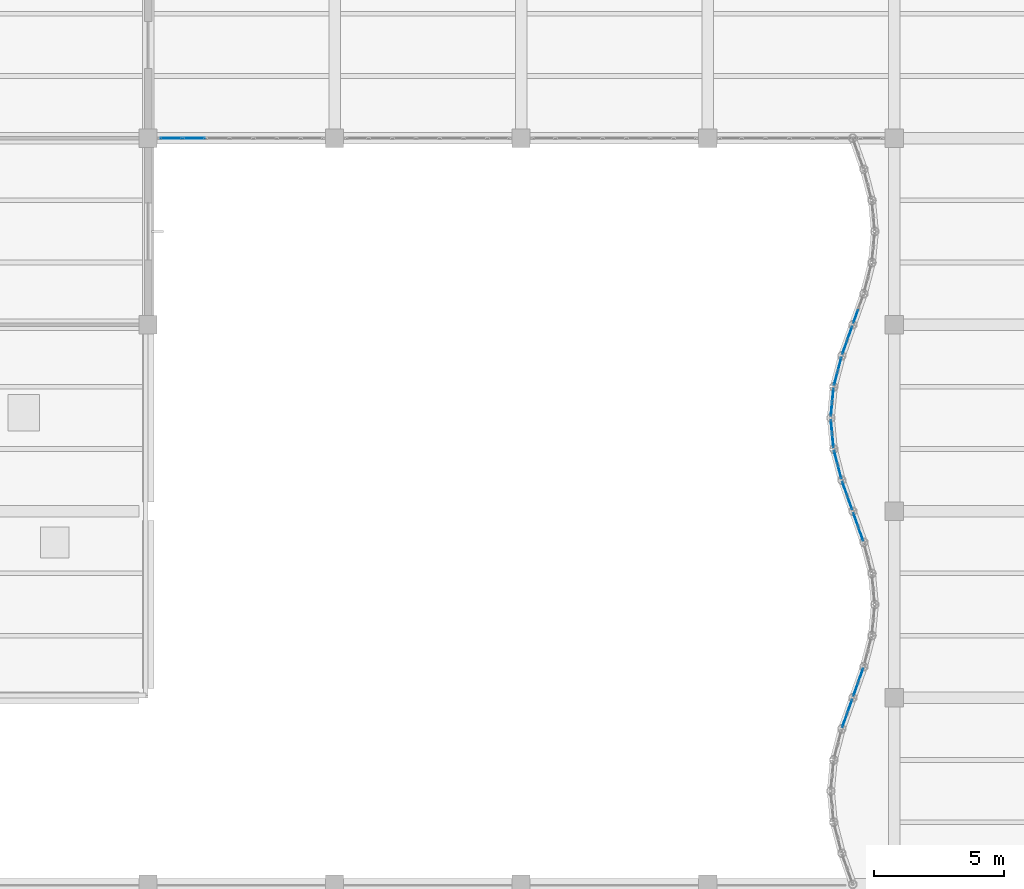
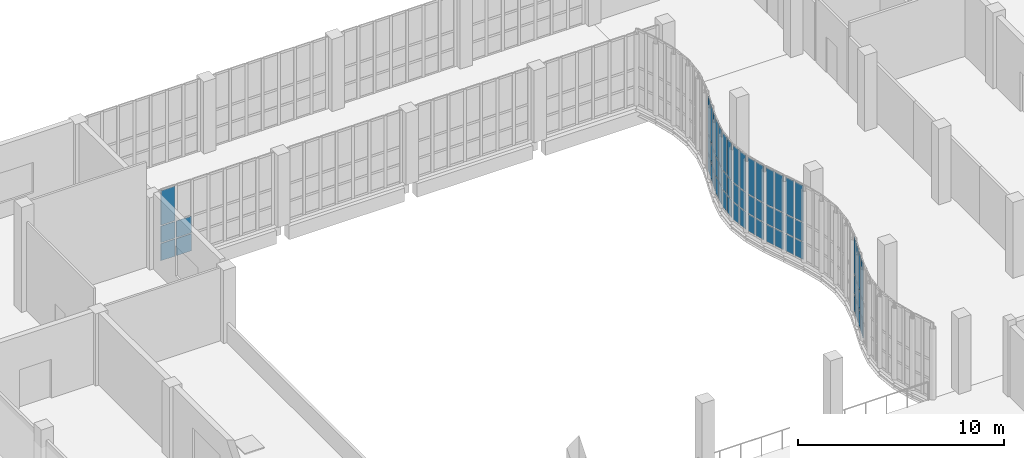
# One storey, part 73 of 108: 62 plates, 11 elements without a shape of their own.
"""IFC4 building model written with IfcOpenShell, lengths in metres."""

from ifc_helpers import new_model, si_unit, direction, frame, origin, origin_2d, place, context, subcontext, project, spatial, rectangle, extrude, material, layer, layer_set, type_object, element, aggregate, save


model = new_model("IFC4")

# Units and contexts
model_context = context("Model", 3, precision=1e-05, world=origin(), true_north=direction((0.0, 1.0)))
body_context = subcontext(model_context, "Body", "Model", "MODEL_VIEW")
ifc_project = project(units=[si_unit("LENGTHUNIT", "METRE"), si_unit("AREAUNIT", "SQUARE_METRE"), si_unit("VOLUMEUNIT", "CUBIC_METRE"), si_unit("PLANEANGLEUNIT", "RADIAN"), si_unit("MASSUNIT", "GRAM", prefix="KILO"), si_unit("THERMODYNAMICTEMPERATUREUNIT", "KELVIN"), si_unit("POWERUNIT", "WATT")], contexts=[model_context])

# Site, building, storey
site_placement = place(None, origin())
site = spatial("IfcSite", under=ifc_project, at=site_placement, CompositionType="ELEMENT")
building_placement = place(site_placement, origin())
building = spatial("IfcBuilding", under=site, at=building_placement, Name="Kaldorven Railside Theatre", CompositionType="ELEMENT")
storey_placement = place(building_placement, frame((0.0, 0.0, 5.39990234375)))
storey = spatial("IfcBuildingStorey", under=building, at=storey_placement, Name="L01", CompositionType="ELEMENT", Elevation=5.39990234375)

# Curtain wall, plates
ifc_material = material(Name="Low-E laminated solar-control glass", Category="glass")
ifc_layer_1 = layer(ifc_material, 0.159912109375, Name="Low-E laminated solar-control glass")
ifc_layer_set_1 = layer_set([ifc_layer_1], Name="Low-E laminated solar-control glass")
curtain_wall_type_1 = type_object("IfcCurtainWallType", Name="CWT-01", PredefinedType="USERDEFINED", material=ifc_layer_set_1)
curtain_wall_1_placement = place(storey_placement, origin())
curtain_wall_1 = element("IfcCurtainWall", 1, at=curtain_wall_1_placement, inside=storey, type_object=curtain_wall_type_1, Name="Sinusoidal Fluted Curtain Wall CW-L01-W06", ObjectType="FLUTED GLAZING", PredefinedType="USERDEFINED")
ifc_layer_2 = layer(ifc_material, 0.028076171875, Name="Low-E laminated solar-control glass")
ifc_layer_set_2 = layer_set([ifc_layer_2], Name="Low-E laminated solar-control glass")
plate_type = type_object("IfcPlateType", Name="CWP-GLZ28", PredefinedType="CURTAIN_PANEL", material=ifc_layer_set_2)
plate_1_placement = place(storey_placement, frame((70.887939453125, 47.118896484375, 0.06005859375), z_axis=(0.0, 0.0, 1.0), x_axis=(0.33384714225, 0.942627225159, 0.0)))
plate_1 = element("IfcPlate", 2, at=plate_1_placement, type_object=plate_type, Name="CW-L01-W06 panel 1.1", PredefinedType="CURTAIN_PANEL", context=body_context, shape_type="SweptSolid", body=[
    extrude(rectangle(XDim=0.5166015625, YDim=0.028076171875, at=origin_2d()), origin(), (0.0, 0.0, 1.0), 1.010009765625),
])
plate_2_placement = place(storey_placement, frame((70.887939453125, 47.118896484375, 1.1298828125), z_axis=(0.0, 0.0, 1.0), x_axis=(0.33384714225, 0.942627225159, 0.0)))
plate_2 = element("IfcPlate", 3, at=plate_2_placement, type_object=plate_type, Name="CW-L01-W06 panel 1.2", PredefinedType="CURTAIN_PANEL", context=body_context, shape_type="SweptSolid", body=[
    extrude(rectangle(XDim=0.5166015625, YDim=0.028076171875, at=origin_2d()), origin(), (0.0, 0.0, 1.0), 1.090087890625),
])
plate_3_placement = place(storey_placement, frame((70.887939453125, 47.118896484375, 2.2802734375), z_axis=(0.0, 0.0, 1.0), x_axis=(0.33384714225, 0.942627225159, 0.0)))
plate_3 = element("IfcPlate", 4, at=plate_3_placement, type_object=plate_type, Name="CW-L01-W06 panel 1.3", PredefinedType="CURTAIN_PANEL", context=body_context, shape_type="SweptSolid", body=[
    extrude(rectangle(XDim=0.5166015625, YDim=0.028076171875, at=origin_2d()), origin(), (0.0, 0.0, 1.0), 2.159912109375),
])
plate_4_placement = place(storey_placement, frame((71.087158203125, 47.68115234375, 0.06005859375), z_axis=(0.0, 0.0, 1.0), x_axis=(0.33384714225, 0.942627225159, 0.0)))
plate_4 = element("IfcPlate", 5, at=plate_4_placement, type_object=plate_type, Name="CW-L01-W06 panel 2.1", PredefinedType="CURTAIN_PANEL", context=body_context, shape_type="SweptSolid", body=[
    extrude(rectangle(XDim=0.5166015625, YDim=0.028076171875, at=origin_2d()), origin(), (0.0, 0.0, 1.0), 1.010009765625),
])
plate_5_placement = place(storey_placement, frame((71.087158203125, 47.68115234375, 1.1298828125), z_axis=(0.0, 0.0, 1.0), x_axis=(0.33384714225, 0.942627225159, 0.0)))
plate_5 = element("IfcPlate", 6, at=plate_5_placement, type_object=plate_type, Name="CW-L01-W06 panel 2.2", PredefinedType="CURTAIN_PANEL", context=body_context, shape_type="SweptSolid", body=[
    extrude(rectangle(XDim=0.5166015625, YDim=0.028076171875, at=origin_2d()), origin(), (0.0, 0.0, 1.0), 1.090087890625),
])
plate_6_placement = place(storey_placement, frame((71.087158203125, 47.68115234375, 2.2802734375), z_axis=(0.0, 0.0, 1.0), x_axis=(0.33384714225, 0.942627225159, 0.0)))
plate_6 = element("IfcPlate", 7, at=plate_6_placement, type_object=plate_type, Name="CW-L01-W06 panel 2.3", PredefinedType="CURTAIN_PANEL", context=body_context, shape_type="SweptSolid", body=[
    extrude(rectangle(XDim=0.5166015625, YDim=0.028076171875, at=origin_2d()), origin(), (0.0, 0.0, 1.0), 2.159912109375),
])
aggregate(curtain_wall_1, [plate_1, plate_2, plate_3, plate_4, plate_5, plate_6])

curtain_wall_2_placement = place(storey_placement, origin())
curtain_wall_2 = element("IfcCurtainWall", 8, at=curtain_wall_2_placement, inside=storey, type_object=curtain_wall_type_1, Name="Sinusoidal Fluted Curtain Wall CW-L01-W07", ObjectType="FLUTED GLAZING", PredefinedType="USERDEFINED")
plate_7_placement = place(storey_placement, frame((71.31298828125, 48.31884765625, 0.06005859375), z_axis=(0.0, 0.0, 1.0), x_axis=(0.33384714225, 0.942627225159, 0.0)))
plate_7 = element("IfcPlate", 9, at=plate_7_placement, type_object=plate_type, Name="CW-L01-W07 panel 1.1", PredefinedType="CURTAIN_PANEL", context=body_context, shape_type="SweptSolid", body=[
    extrude(rectangle(XDim=0.5166015625, YDim=0.028076171875, at=origin_2d()), origin(), (0.0, 0.0, 1.0), 1.010009765625),
])
plate_8_placement = place(storey_placement, frame((71.31298828125, 48.31884765625, 1.1298828125), z_axis=(0.0, 0.0, 1.0), x_axis=(0.33384714225, 0.942627225159, 0.0)))
plate_8 = element("IfcPlate", 10, at=plate_8_placement, type_object=plate_type, Name="CW-L01-W07 panel 1.2", PredefinedType="CURTAIN_PANEL", context=body_context, shape_type="SweptSolid", body=[
    extrude(rectangle(XDim=0.5166015625, YDim=0.028076171875, at=origin_2d()), origin(), (0.0, 0.0, 1.0), 1.090087890625),
])
plate_9_placement = place(storey_placement, frame((71.31298828125, 48.31884765625, 2.2802734375), z_axis=(0.0, 0.0, 1.0), x_axis=(0.33384714225, 0.942627225159, 0.0)))
plate_9 = element("IfcPlate", 11, at=plate_9_placement, type_object=plate_type, Name="CW-L01-W07 panel 1.3", PredefinedType="CURTAIN_PANEL", context=body_context, shape_type="SweptSolid", body=[
    extrude(rectangle(XDim=0.5166015625, YDim=0.028076171875, at=origin_2d()), origin(), (0.0, 0.0, 1.0), 2.159912109375),
])
plate_10_placement = place(storey_placement, frame((71.511962890625, 48.881103515625, 0.06005859375), z_axis=(0.0, 0.0, 1.0), x_axis=(0.33384714225, 0.942627225159, 0.0)))
plate_10 = element("IfcPlate", 12, at=plate_10_placement, type_object=plate_type, Name="CW-L01-W07 panel 2.1", PredefinedType="CURTAIN_PANEL", context=body_context, shape_type="SweptSolid", body=[
    extrude(rectangle(XDim=0.5166015625, YDim=0.028076171875, at=origin_2d()), origin(), (0.0, 0.0, 1.0), 1.010009765625),
])
plate_11_placement = place(storey_placement, frame((71.511962890625, 48.881103515625, 1.1298828125), z_axis=(0.0, 0.0, 1.0), x_axis=(0.33384714225, 0.942627225159, 0.0)))
plate_11 = element("IfcPlate", 13, at=plate_11_placement, type_object=plate_type, Name="CW-L01-W07 panel 2.2", PredefinedType="CURTAIN_PANEL", context=body_context, shape_type="SweptSolid", body=[
    extrude(rectangle(XDim=0.5166015625, YDim=0.028076171875, at=origin_2d()), origin(), (0.0, 0.0, 1.0), 1.090087890625),
])
plate_12_placement = place(storey_placement, frame((71.511962890625, 48.881103515625, 2.2802734375), z_axis=(0.0, 0.0, 1.0), x_axis=(0.33384714225, 0.942627225159, 0.0)))
plate_12 = element("IfcPlate", 14, at=plate_12_placement, type_object=plate_type, Name="CW-L01-W07 panel 2.3", PredefinedType="CURTAIN_PANEL", context=body_context, shape_type="SweptSolid", body=[
    extrude(rectangle(XDim=0.5166015625, YDim=0.028076171875, at=origin_2d()), origin(), (0.0, 0.0, 1.0), 2.159912109375),
])
aggregate(curtain_wall_2, [plate_7, plate_8, plate_9, plate_10, plate_11, plate_12])

curtain_wall_3_placement = place(storey_placement, origin())
curtain_wall_3 = element("IfcCurtainWall", 15, at=curtain_wall_3_placement, inside=storey, type_object=curtain_wall_type_1, Name="Sinusoidal Fluted Curtain Wall CW-L01-W12", ObjectType="FLUTED GLAZING", PredefinedType="USERDEFINED")
plate_13_placement = place(storey_placement, frame((71.511962890625, 54.31884765625, 0.06005859375), z_axis=(0.0, 0.0, 1.0), x_axis=(-0.33384714225, 0.942627225159, 0.0)))
plate_13 = element("IfcPlate", 16, at=plate_13_placement, type_object=plate_type, Name="CW-L01-W12 panel 1.1", PredefinedType="CURTAIN_PANEL", context=body_context, shape_type="SweptSolid", body=[
    extrude(rectangle(XDim=0.5166015625, YDim=0.028076171875, at=origin_2d()), origin(), (0.0, 0.0, 1.0), 1.010009765625),
])
plate_14_placement = place(storey_placement, frame((71.511962890625, 54.31884765625, 1.1298828125), z_axis=(0.0, 0.0, 1.0), x_axis=(-0.33384714225, 0.942627225159, 0.0)))
plate_14 = element("IfcPlate", 17, at=plate_14_placement, type_object=plate_type, Name="CW-L01-W12 panel 1.2", PredefinedType="CURTAIN_PANEL", context=body_context, shape_type="SweptSolid", body=[
    extrude(rectangle(XDim=0.5166015625, YDim=0.028076171875, at=origin_2d()), origin(), (0.0, 0.0, 1.0), 1.090087890625),
])
plate_15_placement = place(storey_placement, frame((71.511962890625, 54.31884765625, 2.2802734375), z_axis=(0.0, 0.0, 1.0), x_axis=(-0.33384714225, 0.942627225159, 0.0)))
plate_15 = element("IfcPlate", 18, at=plate_15_placement, type_object=plate_type, Name="CW-L01-W12 panel 1.3", PredefinedType="CURTAIN_PANEL", context=body_context, shape_type="SweptSolid", body=[
    extrude(rectangle(XDim=0.5166015625, YDim=0.028076171875, at=origin_2d()), origin(), (0.0, 0.0, 1.0), 2.159912109375),
])
plate_16_placement = place(storey_placement, frame((71.31298828125, 54.881103515625, 0.06005859375), z_axis=(0.0, 0.0, 1.0), x_axis=(-0.33384714225, 0.942627225159, 0.0)))
plate_16 = element("IfcPlate", 19, at=plate_16_placement, type_object=plate_type, Name="CW-L01-W12 panel 2.1", PredefinedType="CURTAIN_PANEL", context=body_context, shape_type="SweptSolid", body=[
    extrude(rectangle(XDim=0.5166015625, YDim=0.028076171875, at=origin_2d()), origin(), (0.0, 0.0, 1.0), 1.010009765625),
])
plate_17_placement = place(storey_placement, frame((71.31298828125, 54.881103515625, 1.1298828125), z_axis=(0.0, 0.0, 1.0), x_axis=(-0.33384714225, 0.942627225159, 0.0)))
plate_17 = element("IfcPlate", 20, at=plate_17_placement, type_object=plate_type, Name="CW-L01-W12 panel 2.2", PredefinedType="CURTAIN_PANEL", context=body_context, shape_type="SweptSolid", body=[
    extrude(rectangle(XDim=0.5166015625, YDim=0.028076171875, at=origin_2d()), origin(), (0.0, 0.0, 1.0), 1.090087890625),
])
plate_18_placement = place(storey_placement, frame((71.31298828125, 54.881103515625, 2.2802734375), z_axis=(0.0, 0.0, 1.0), x_axis=(-0.33384714225, 0.942627225159, 0.0)))
plate_18 = element("IfcPlate", 21, at=plate_18_placement, type_object=plate_type, Name="CW-L01-W12 panel 2.3", PredefinedType="CURTAIN_PANEL", context=body_context, shape_type="SweptSolid", body=[
    extrude(rectangle(XDim=0.5166015625, YDim=0.028076171875, at=origin_2d()), origin(), (0.0, 0.0, 1.0), 2.159912109375),
])
aggregate(curtain_wall_3, [plate_13, plate_14, plate_15, plate_16, plate_17, plate_18])

curtain_wall_4_placement = place(storey_placement, origin())
curtain_wall_4 = element("IfcCurtainWall", 22, at=curtain_wall_4_placement, inside=storey, type_object=curtain_wall_type_1, Name="Sinusoidal Fluted Curtain Wall CW-L01-W13", ObjectType="FLUTED GLAZING", PredefinedType="USERDEFINED")
plate_19_placement = place(storey_placement, frame((71.087158203125, 55.518798828125, 0.06005859375), z_axis=(0.0, 0.0, 1.0), x_axis=(-0.33384714225, 0.942627225159, 0.0)))
plate_19 = element("IfcPlate", 23, at=plate_19_placement, type_object=plate_type, Name="CW-L01-W13 panel 1.1", PredefinedType="CURTAIN_PANEL", context=body_context, shape_type="SweptSolid", body=[
    extrude(rectangle(XDim=0.5166015625, YDim=0.028076171875, at=origin_2d()), origin(), (0.0, 0.0, 1.0), 1.010009765625),
])
plate_20_placement = place(storey_placement, frame((71.087158203125, 55.518798828125, 1.1298828125), z_axis=(0.0, 0.0, 1.0), x_axis=(-0.33384714225, 0.942627225159, 0.0)))
plate_20 = element("IfcPlate", 24, at=plate_20_placement, type_object=plate_type, Name="CW-L01-W13 panel 1.2", PredefinedType="CURTAIN_PANEL", context=body_context, shape_type="SweptSolid", body=[
    extrude(rectangle(XDim=0.5166015625, YDim=0.028076171875, at=origin_2d()), origin(), (0.0, 0.0, 1.0), 1.090087890625),
])
plate_21_placement = place(storey_placement, frame((71.087158203125, 55.518798828125, 2.2802734375), z_axis=(0.0, 0.0, 1.0), x_axis=(-0.33384714225, 0.942627225159, 0.0)))
plate_21 = element("IfcPlate", 25, at=plate_21_placement, type_object=plate_type, Name="CW-L01-W13 panel 1.3", PredefinedType="CURTAIN_PANEL", context=body_context, shape_type="SweptSolid", body=[
    extrude(rectangle(XDim=0.5166015625, YDim=0.028076171875, at=origin_2d()), origin(), (0.0, 0.0, 1.0), 2.159912109375),
])
plate_22_placement = place(storey_placement, frame((70.887939453125, 56.0810546875, 0.06005859375), z_axis=(0.0, 0.0, 1.0), x_axis=(-0.33384714225, 0.942627225159, 0.0)))
plate_22 = element("IfcPlate", 26, at=plate_22_placement, type_object=plate_type, Name="CW-L01-W13 panel 2.1", PredefinedType="CURTAIN_PANEL", context=body_context, shape_type="SweptSolid", body=[
    extrude(rectangle(XDim=0.5166015625, YDim=0.028076171875, at=origin_2d()), origin(), (0.0, 0.0, 1.0), 1.010009765625),
])
plate_23_placement = place(storey_placement, frame((70.887939453125, 56.0810546875, 1.1298828125), z_axis=(0.0, 0.0, 1.0), x_axis=(-0.33384714225, 0.942627225159, 0.0)))
plate_23 = element("IfcPlate", 27, at=plate_23_placement, type_object=plate_type, Name="CW-L01-W13 panel 2.2", PredefinedType="CURTAIN_PANEL", context=body_context, shape_type="SweptSolid", body=[
    extrude(rectangle(XDim=0.5166015625, YDim=0.028076171875, at=origin_2d()), origin(), (0.0, 0.0, 1.0), 1.090087890625),
])
plate_24_placement = place(storey_placement, frame((70.887939453125, 56.0810546875, 2.2802734375), z_axis=(0.0, 0.0, 1.0), x_axis=(-0.33384714225, 0.942627225159, 0.0)))
plate_24 = element("IfcPlate", 28, at=plate_24_placement, type_object=plate_type, Name="CW-L01-W13 panel 2.3", PredefinedType="CURTAIN_PANEL", context=body_context, shape_type="SweptSolid", body=[
    extrude(rectangle(XDim=0.5166015625, YDim=0.028076171875, at=origin_2d()), origin(), (0.0, 0.0, 1.0), 2.159912109375),
])
aggregate(curtain_wall_4, [plate_19, plate_20, plate_21, plate_22, plate_23, plate_24])

ifc_layer_3 = layer(ifc_material, 0.159912109375, Name="Low-E laminated solar-control glass")
ifc_layer_set_3 = layer_set([ifc_layer_3], Name="Low-E laminated solar-control glass")
curtain_wall_type_2 = type_object("IfcCurtainWallType", Name="CWT-02", PredefinedType="USERDEFINED", material=ifc_layer_set_3)
curtain_wall_5_placement = place(storey_placement, origin())
curtain_wall_5 = element("IfcCurtainWall", 29, at=curtain_wall_5_placement, inside=storey, type_object=curtain_wall_type_2, Name="Sinusoidal Fluted Curtain Wall CW-L01-W14", ObjectType="FLUTED GLAZING", PredefinedType="USERDEFINED")
plate_25_placement = place(storey_placement, frame((70.692138671875, 56.71923828125, 0.06005859375), z_axis=(0.0, 0.0, 1.0), x_axis=(-0.250953760326, 0.967999075505, 0.0)))
plate_25 = element("IfcPlate", 30, at=plate_25_placement, type_object=plate_type, Name="CW-L01-W14 panel 1.1", PredefinedType="CURTAIN_PANEL", context=body_context, shape_type="SweptSolid", body=[
    extrude(rectangle(XDim=0.499755859375, YDim=0.028076171875, at=origin_2d()), origin(), (0.0, 0.0, 1.0), 1.010009765625),
])
plate_26_placement = place(storey_placement, frame((70.692138671875, 56.71923828125, 1.1298828125), z_axis=(0.0, 0.0, 1.0), x_axis=(-0.250953760326, 0.967999075505, 0.0)))
plate_26 = element("IfcPlate", 31, at=plate_26_placement, type_object=plate_type, Name="CW-L01-W14 panel 1.2", PredefinedType="CURTAIN_PANEL", context=body_context, shape_type="SweptSolid", body=[
    extrude(rectangle(XDim=0.499755859375, YDim=0.028076171875, at=origin_2d()), origin(), (0.0, 0.0, 1.0), 1.090087890625),
])
plate_27_placement = place(storey_placement, frame((70.692138671875, 56.71923828125, 2.2802734375), z_axis=(0.0, 0.0, 1.0), x_axis=(-0.250953760326, 0.967999075505, 0.0)))
plate_27 = element("IfcPlate", 32, at=plate_27_placement, type_object=plate_type, Name="CW-L01-W14 panel 1.3", PredefinedType="CURTAIN_PANEL", context=body_context, shape_type="SweptSolid", body=[
    extrude(rectangle(XDim=0.499755859375, YDim=0.028076171875, at=origin_2d()), origin(), (0.0, 0.0, 1.0), 2.159912109375),
])
plate_28_placement = place(storey_placement, frame((70.546630859375, 57.28076171875, 0.06005859375), z_axis=(0.0, 0.0, 1.0), x_axis=(-0.250953760326, 0.967999075505, 0.0)))
plate_28 = element("IfcPlate", 33, at=plate_28_placement, type_object=plate_type, Name="CW-L01-W14 panel 2.1", PredefinedType="CURTAIN_PANEL", context=body_context, shape_type="SweptSolid", body=[
    extrude(rectangle(XDim=0.499755859375, YDim=0.028076171875, at=origin_2d()), origin(), (0.0, 0.0, 1.0), 1.010009765625),
])
plate_29_placement = place(storey_placement, frame((70.546630859375, 57.28076171875, 1.1298828125), z_axis=(0.0, 0.0, 1.0), x_axis=(-0.250953760326, 0.967999075505, 0.0)))
plate_29 = element("IfcPlate", 34, at=plate_29_placement, type_object=plate_type, Name="CW-L01-W14 panel 2.2", PredefinedType="CURTAIN_PANEL", context=body_context, shape_type="SweptSolid", body=[
    extrude(rectangle(XDim=0.499755859375, YDim=0.028076171875, at=origin_2d()), origin(), (0.0, 0.0, 1.0), 1.090087890625),
])
plate_30_placement = place(storey_placement, frame((70.546630859375, 57.28076171875, 2.2802734375), z_axis=(0.0, 0.0, 1.0), x_axis=(-0.250953760326, 0.967999075505, 0.0)))
plate_30 = element("IfcPlate", 35, at=plate_30_placement, type_object=plate_type, Name="CW-L01-W14 panel 2.3", PredefinedType="CURTAIN_PANEL", context=body_context, shape_type="SweptSolid", body=[
    extrude(rectangle(XDim=0.499755859375, YDim=0.028076171875, at=origin_2d()), origin(), (0.0, 0.0, 1.0), 2.159912109375),
])
aggregate(curtain_wall_5, [plate_25, plate_26, plate_27, plate_28, plate_29, plate_30])

ifc_layer_4 = layer(ifc_material, 0.159912109375, Name="Low-E laminated solar-control glass")
ifc_layer_set_4 = layer_set([ifc_layer_4], Name="Low-E laminated solar-control glass")
curtain_wall_type_3 = type_object("IfcCurtainWallType", Name="CWT-03", PredefinedType="USERDEFINED", material=ifc_layer_set_4)
curtain_wall_6_placement = place(storey_placement, origin())
curtain_wall_6 = element("IfcCurtainWall", 36, at=curtain_wall_6_placement, inside=storey, type_object=curtain_wall_type_3, Name="Sinusoidal Fluted Curtain Wall CW-L01-W15", ObjectType="FLUTED GLAZING", PredefinedType="USERDEFINED")
plate_31_placement = place(storey_placement, frame((70.43359375, 57.919921875, 0.06005859375), z_axis=(0.0, 0.0, 1.0), x_axis=(-0.094491973758, 0.995525623425, 0.0)))
plate_31 = element("IfcPlate", 37, at=plate_31_placement, type_object=plate_type, Name="CW-L01-W15 panel 1.1", PredefinedType="CURTAIN_PANEL", context=body_context, shape_type="SweptSolid", body=[
    extrude(rectangle(XDim=0.482666015625, YDim=0.028076171875, at=origin_2d()), origin(), (0.0, 0.0, 1.0), 1.010009765625),
])
plate_32_placement = place(storey_placement, frame((70.43359375, 57.919921875, 1.1298828125), z_axis=(0.0, 0.0, 1.0), x_axis=(-0.094491973758, 0.995525623425, 0.0)))
plate_32 = element("IfcPlate", 38, at=plate_32_placement, type_object=plate_type, Name="CW-L01-W15 panel 1.2", PredefinedType="CURTAIN_PANEL", context=body_context, shape_type="SweptSolid", body=[
    extrude(rectangle(XDim=0.482666015625, YDim=0.028076171875, at=origin_2d()), origin(), (0.0, 0.0, 1.0), 1.090087890625),
])
plate_33_placement = place(storey_placement, frame((70.43359375, 57.919921875, 2.2802734375), z_axis=(0.0, 0.0, 1.0), x_axis=(-0.094491973758, 0.995525623425, 0.0)))
plate_33 = element("IfcPlate", 39, at=plate_33_placement, type_object=plate_type, Name="CW-L01-W15 panel 1.3", PredefinedType="CURTAIN_PANEL", context=body_context, shape_type="SweptSolid", body=[
    extrude(rectangle(XDim=0.482666015625, YDim=0.028076171875, at=origin_2d()), origin(), (0.0, 0.0, 1.0), 2.159912109375),
])
plate_34_placement = place(storey_placement, frame((70.38037109375, 58.47998046875, 0.06005859375), z_axis=(0.0, 0.0, 1.0), x_axis=(-0.094491973758, 0.995525623425, 0.0)))
plate_34 = element("IfcPlate", 40, at=plate_34_placement, type_object=plate_type, Name="CW-L01-W15 panel 2.1", PredefinedType="CURTAIN_PANEL", context=body_context, shape_type="SweptSolid", body=[
    extrude(rectangle(XDim=0.482666015625, YDim=0.028076171875, at=origin_2d()), origin(), (0.0, 0.0, 1.0), 1.010009765625),
])
plate_35_placement = place(storey_placement, frame((70.38037109375, 58.47998046875, 1.1298828125), z_axis=(0.0, 0.0, 1.0), x_axis=(-0.094491973758, 0.995525623425, 0.0)))
plate_35 = element("IfcPlate", 41, at=plate_35_placement, type_object=plate_type, Name="CW-L01-W15 panel 2.2", PredefinedType="CURTAIN_PANEL", context=body_context, shape_type="SweptSolid", body=[
    extrude(rectangle(XDim=0.482666015625, YDim=0.028076171875, at=origin_2d()), origin(), (0.0, 0.0, 1.0), 1.090087890625),
])
plate_36_placement = place(storey_placement, frame((70.38037109375, 58.47998046875, 2.2802734375), z_axis=(0.0, 0.0, 1.0), x_axis=(-0.094491973758, 0.995525623425, 0.0)))
plate_36 = element("IfcPlate", 42, at=plate_36_placement, type_object=plate_type, Name="CW-L01-W15 panel 2.3", PredefinedType="CURTAIN_PANEL", context=body_context, shape_type="SweptSolid", body=[
    extrude(rectangle(XDim=0.482666015625, YDim=0.028076171875, at=origin_2d()), origin(), (0.0, 0.0, 1.0), 2.159912109375),
])
aggregate(curtain_wall_6, [plate_31, plate_32, plate_33, plate_34, plate_35, plate_36])

curtain_wall_7_placement = place(storey_placement, origin())
curtain_wall_7 = element("IfcCurtainWall", 43, at=curtain_wall_7_placement, inside=storey, type_object=curtain_wall_type_3, Name="Sinusoidal Fluted Curtain Wall CW-L01-W16", ObjectType="FLUTED GLAZING", PredefinedType="USERDEFINED")
plate_37_placement = place(storey_placement, frame((70.38037109375, 59.119873046875, 0.06005859375), z_axis=(0.0, 0.0, 1.0), x_axis=(0.094491973758, 0.995525623425, 0.0)))
plate_37 = element("IfcPlate", 44, at=plate_37_placement, type_object=plate_type, Name="CW-L01-W16 panel 1.1", PredefinedType="CURTAIN_PANEL", context=body_context, shape_type="SweptSolid", body=[
    extrude(rectangle(XDim=0.482666015625, YDim=0.028076171875, at=origin_2d()), origin(), (0.0, 0.0, 1.0), 1.010009765625),
])
plate_38_placement = place(storey_placement, frame((70.38037109375, 59.119873046875, 1.1298828125), z_axis=(0.0, 0.0, 1.0), x_axis=(0.094491973758, 0.995525623425, 0.0)))
plate_38 = element("IfcPlate", 45, at=plate_38_placement, type_object=plate_type, Name="CW-L01-W16 panel 1.2", PredefinedType="CURTAIN_PANEL", context=body_context, shape_type="SweptSolid", body=[
    extrude(rectangle(XDim=0.482666015625, YDim=0.028076171875, at=origin_2d()), origin(), (0.0, 0.0, 1.0), 1.090087890625),
])
plate_39_placement = place(storey_placement, frame((70.38037109375, 59.119873046875, 2.2802734375), z_axis=(0.0, 0.0, 1.0), x_axis=(0.094491973758, 0.995525623425, 0.0)))
plate_39 = element("IfcPlate", 46, at=plate_39_placement, type_object=plate_type, Name="CW-L01-W16 panel 1.3", PredefinedType="CURTAIN_PANEL", context=body_context, shape_type="SweptSolid", body=[
    extrude(rectangle(XDim=0.482666015625, YDim=0.028076171875, at=origin_2d()), origin(), (0.0, 0.0, 1.0), 2.159912109375),
])
plate_40_placement = place(storey_placement, frame((70.43359375, 59.68017578125, 0.06005859375), z_axis=(0.0, 0.0, 1.0), x_axis=(0.094491973758, 0.995525623425, 0.0)))
plate_40 = element("IfcPlate", 47, at=plate_40_placement, type_object=plate_type, Name="CW-L01-W16 panel 2.1", PredefinedType="CURTAIN_PANEL", context=body_context, shape_type="SweptSolid", body=[
    extrude(rectangle(XDim=0.482666015625, YDim=0.028076171875, at=origin_2d()), origin(), (0.0, 0.0, 1.0), 1.010009765625),
])
plate_41_placement = place(storey_placement, frame((70.43359375, 59.68017578125, 1.1298828125), z_axis=(0.0, 0.0, 1.0), x_axis=(0.094491973758, 0.995525623425, 0.0)))
plate_41 = element("IfcPlate", 48, at=plate_41_placement, type_object=plate_type, Name="CW-L01-W16 panel 2.2", PredefinedType="CURTAIN_PANEL", context=body_context, shape_type="SweptSolid", body=[
    extrude(rectangle(XDim=0.482666015625, YDim=0.028076171875, at=origin_2d()), origin(), (0.0, 0.0, 1.0), 1.090087890625),
])
plate_42_placement = place(storey_placement, frame((70.43359375, 59.68017578125, 2.2802734375), z_axis=(0.0, 0.0, 1.0), x_axis=(0.094491973758, 0.995525623425, 0.0)))
plate_42 = element("IfcPlate", 49, at=plate_42_placement, type_object=plate_type, Name="CW-L01-W16 panel 2.3", PredefinedType="CURTAIN_PANEL", context=body_context, shape_type="SweptSolid", body=[
    extrude(rectangle(XDim=0.482666015625, YDim=0.028076171875, at=origin_2d()), origin(), (0.0, 0.0, 1.0), 2.159912109375),
])
aggregate(curtain_wall_7, [plate_37, plate_38, plate_39, plate_40, plate_41, plate_42])

curtain_wall_8_placement = place(storey_placement, origin())
curtain_wall_8 = element("IfcCurtainWall", 50, at=curtain_wall_8_placement, inside=storey, type_object=curtain_wall_type_2, Name="Sinusoidal Fluted Curtain Wall CW-L01-W17", ObjectType="FLUTED GLAZING", PredefinedType="USERDEFINED")
plate_43_placement = place(storey_placement, frame((70.546630859375, 60.3193359375, 0.06005859375), z_axis=(0.0, 0.0, 1.0), x_axis=(0.250953760326, 0.967999075505, 0.0)))
plate_43 = element("IfcPlate", 51, at=plate_43_placement, type_object=plate_type, Name="CW-L01-W17 panel 1.1", PredefinedType="CURTAIN_PANEL", context=body_context, shape_type="SweptSolid", body=[
    extrude(rectangle(XDim=0.499755859375, YDim=0.028076171875, at=origin_2d()), origin(), (0.0, 0.0, 1.0), 1.010009765625),
])
plate_44_placement = place(storey_placement, frame((70.546630859375, 60.3193359375, 1.1298828125), z_axis=(0.0, 0.0, 1.0), x_axis=(0.250953760326, 0.967999075505, 0.0)))
plate_44 = element("IfcPlate", 52, at=plate_44_placement, type_object=plate_type, Name="CW-L01-W17 panel 1.2", PredefinedType="CURTAIN_PANEL", context=body_context, shape_type="SweptSolid", body=[
    extrude(rectangle(XDim=0.499755859375, YDim=0.028076171875, at=origin_2d()), origin(), (0.0, 0.0, 1.0), 1.090087890625),
])
plate_45_placement = place(storey_placement, frame((70.546630859375, 60.3193359375, 2.2802734375), z_axis=(0.0, 0.0, 1.0), x_axis=(0.250953760326, 0.967999075505, 0.0)))
plate_45 = element("IfcPlate", 53, at=plate_45_placement, type_object=plate_type, Name="CW-L01-W17 panel 1.3", PredefinedType="CURTAIN_PANEL", context=body_context, shape_type="SweptSolid", body=[
    extrude(rectangle(XDim=0.499755859375, YDim=0.028076171875, at=origin_2d()), origin(), (0.0, 0.0, 1.0), 2.159912109375),
])
plate_46_placement = place(storey_placement, frame((70.692138671875, 60.880615234375, 0.06005859375), z_axis=(0.0, 0.0, 1.0), x_axis=(0.250953760326, 0.967999075505, 0.0)))
plate_46 = element("IfcPlate", 54, at=plate_46_placement, type_object=plate_type, Name="CW-L01-W17 panel 2.1", PredefinedType="CURTAIN_PANEL", context=body_context, shape_type="SweptSolid", body=[
    extrude(rectangle(XDim=0.499755859375, YDim=0.028076171875, at=origin_2d()), origin(), (0.0, 0.0, 1.0), 1.010009765625),
])
plate_47_placement = place(storey_placement, frame((70.692138671875, 60.880615234375, 1.1298828125), z_axis=(0.0, 0.0, 1.0), x_axis=(0.250953760326, 0.967999075505, 0.0)))
plate_47 = element("IfcPlate", 55, at=plate_47_placement, type_object=plate_type, Name="CW-L01-W17 panel 2.2", PredefinedType="CURTAIN_PANEL", context=body_context, shape_type="SweptSolid", body=[
    extrude(rectangle(XDim=0.499755859375, YDim=0.028076171875, at=origin_2d()), origin(), (0.0, 0.0, 1.0), 1.090087890625),
])
plate_48_placement = place(storey_placement, frame((70.692138671875, 60.880615234375, 2.2802734375), z_axis=(0.0, 0.0, 1.0), x_axis=(0.250953760326, 0.967999075505, 0.0)))
plate_48 = element("IfcPlate", 56, at=plate_48_placement, type_object=plate_type, Name="CW-L01-W17 panel 2.3", PredefinedType="CURTAIN_PANEL", context=body_context, shape_type="SweptSolid", body=[
    extrude(rectangle(XDim=0.499755859375, YDim=0.028076171875, at=origin_2d()), origin(), (0.0, 0.0, 1.0), 2.159912109375),
])
aggregate(curtain_wall_8, [plate_43, plate_44, plate_45, plate_46, plate_47, plate_48])

curtain_wall_9_placement = place(storey_placement, origin())
curtain_wall_9 = element("IfcCurtainWall", 57, at=curtain_wall_9_placement, inside=storey, type_object=curtain_wall_type_1, Name="Sinusoidal Fluted Curtain Wall CW-L01-W18", ObjectType="FLUTED GLAZING", PredefinedType="USERDEFINED")
plate_49_placement = place(storey_placement, frame((70.887939453125, 61.518798828125, 0.06005859375), z_axis=(0.0, 0.0, 1.0), x_axis=(0.33384714225, 0.942627225159, 0.0)))
plate_49 = element("IfcPlate", 58, at=plate_49_placement, type_object=plate_type, Name="CW-L01-W18 panel 1.1", PredefinedType="CURTAIN_PANEL", context=body_context, shape_type="SweptSolid", body=[
    extrude(rectangle(XDim=0.5166015625, YDim=0.028076171875, at=origin_2d()), origin(), (0.0, 0.0, 1.0), 1.010009765625),
])
plate_50_placement = place(storey_placement, frame((70.887939453125, 61.518798828125, 1.1298828125), z_axis=(0.0, 0.0, 1.0), x_axis=(0.33384714225, 0.942627225159, 0.0)))
plate_50 = element("IfcPlate", 59, at=plate_50_placement, type_object=plate_type, Name="CW-L01-W18 panel 1.2", PredefinedType="CURTAIN_PANEL", context=body_context, shape_type="SweptSolid", body=[
    extrude(rectangle(XDim=0.5166015625, YDim=0.028076171875, at=origin_2d()), origin(), (0.0, 0.0, 1.0), 1.090087890625),
])
plate_51_placement = place(storey_placement, frame((70.887939453125, 61.518798828125, 2.2802734375), z_axis=(0.0, 0.0, 1.0), x_axis=(0.33384714225, 0.942627225159, 0.0)))
plate_51 = element("IfcPlate", 60, at=plate_51_placement, type_object=plate_type, Name="CW-L01-W18 panel 1.3", PredefinedType="CURTAIN_PANEL", context=body_context, shape_type="SweptSolid", body=[
    extrude(rectangle(XDim=0.5166015625, YDim=0.028076171875, at=origin_2d()), origin(), (0.0, 0.0, 1.0), 2.159912109375),
])
plate_52_placement = place(storey_placement, frame((71.087158203125, 62.0810546875, 0.06005859375), z_axis=(0.0, 0.0, 1.0), x_axis=(0.33384714225, 0.942627225159, 0.0)))
plate_52 = element("IfcPlate", 61, at=plate_52_placement, type_object=plate_type, Name="CW-L01-W18 panel 2.1", PredefinedType="CURTAIN_PANEL", context=body_context, shape_type="SweptSolid", body=[
    extrude(rectangle(XDim=0.5166015625, YDim=0.028076171875, at=origin_2d()), origin(), (0.0, 0.0, 1.0), 1.010009765625),
])
plate_53_placement = place(storey_placement, frame((71.087158203125, 62.0810546875, 1.1298828125), z_axis=(0.0, 0.0, 1.0), x_axis=(0.33384714225, 0.942627225159, 0.0)))
plate_53 = element("IfcPlate", 62, at=plate_53_placement, type_object=plate_type, Name="CW-L01-W18 panel 2.2", PredefinedType="CURTAIN_PANEL", context=body_context, shape_type="SweptSolid", body=[
    extrude(rectangle(XDim=0.5166015625, YDim=0.028076171875, at=origin_2d()), origin(), (0.0, 0.0, 1.0), 1.090087890625),
])
plate_54_placement = place(storey_placement, frame((71.087158203125, 62.0810546875, 2.2802734375), z_axis=(0.0, 0.0, 1.0), x_axis=(0.33384714225, 0.942627225159, 0.0)))
plate_54 = element("IfcPlate", 63, at=plate_54_placement, type_object=plate_type, Name="CW-L01-W18 panel 2.3", PredefinedType="CURTAIN_PANEL", context=body_context, shape_type="SweptSolid", body=[
    extrude(rectangle(XDim=0.5166015625, YDim=0.028076171875, at=origin_2d()), origin(), (0.0, 0.0, 1.0), 2.159912109375),
])
aggregate(curtain_wall_9, [plate_49, plate_50, plate_51, plate_52, plate_53, plate_54])

curtain_wall_10_placement = place(storey_placement, origin())
curtain_wall_10 = element("IfcCurtainWall", 64, at=curtain_wall_10_placement, inside=storey, type_object=curtain_wall_type_1, Name="Sinusoidal Fluted Curtain Wall CW-L01-W19", ObjectType="FLUTED GLAZING", PredefinedType="USERDEFINED")
plate_55_placement = place(storey_placement, frame((71.31298828125, 62.71875, 0.06005859375), z_axis=(0.0, 0.0, 1.0), x_axis=(0.33384714225, 0.942627225159, 0.0)))
plate_55 = element("IfcPlate", 65, at=plate_55_placement, type_object=plate_type, Name="CW-L01-W19 panel 1.1", PredefinedType="CURTAIN_PANEL", context=body_context, shape_type="SweptSolid", body=[
    extrude(rectangle(XDim=0.5166015625, YDim=0.028076171875, at=origin_2d()), origin(), (0.0, 0.0, 1.0), 1.010009765625),
])
plate_56_placement = place(storey_placement, frame((71.31298828125, 62.71875, 1.1298828125), z_axis=(0.0, 0.0, 1.0), x_axis=(0.33384714225, 0.942627225159, 0.0)))
plate_56 = element("IfcPlate", 66, at=plate_56_placement, type_object=plate_type, Name="CW-L01-W19 panel 1.2", PredefinedType="CURTAIN_PANEL", context=body_context, shape_type="SweptSolid", body=[
    extrude(rectangle(XDim=0.5166015625, YDim=0.028076171875, at=origin_2d()), origin(), (0.0, 0.0, 1.0), 1.090087890625),
])
plate_57_placement = place(storey_placement, frame((71.31298828125, 62.71875, 2.2802734375), z_axis=(0.0, 0.0, 1.0), x_axis=(0.33384714225, 0.942627225159, 0.0)))
plate_57 = element("IfcPlate", 67, at=plate_57_placement, type_object=plate_type, Name="CW-L01-W19 panel 1.3", PredefinedType="CURTAIN_PANEL", context=body_context, shape_type="SweptSolid", body=[
    extrude(rectangle(XDim=0.5166015625, YDim=0.028076171875, at=origin_2d()), origin(), (0.0, 0.0, 1.0), 2.159912109375),
])
aggregate(curtain_wall_10, [plate_55, plate_56, plate_57])

ifc_layer_5 = layer(ifc_material, 0.159912109375, Name="Low-E laminated solar-control glass")
ifc_layer_set_5 = layer_set([ifc_layer_5], Name="Low-E laminated solar-control glass")
curtain_wall_type_4 = type_object("IfcCurtainWallType", Name="CWT-25", PredefinedType="USERDEFINED", material=ifc_layer_set_5)
curtain_wall_11_placement = place(storey_placement, origin())
curtain_wall_11 = element("IfcCurtainWall", 68, at=curtain_wall_11_placement, inside=storey, type_object=curtain_wall_type_4, Name="Sinusoidal Fluted Curtain Wall CW-L01-BS01", ObjectType="FLUTED GLAZING", PredefinedType="USERDEFINED")
plate_58_placement = place(storey_placement, frame((44.877197265625, 69.60009765625, 0.06005859375), z_axis=(0.0, 0.0, 1.0), x_axis=(1.0, 0.0, 0.0)))
plate_58 = element("IfcPlate", 69, at=plate_58_placement, type_object=plate_type, Name="CW-L01-BS01 panel 1.1", PredefinedType="CURTAIN_PANEL", context=body_context, shape_type="SweptSolid", body=[
    extrude(rectangle(XDim=0.794189453125, YDim=0.028076171875, at=origin_2d()), origin(), (0.0, 0.0, 1.0), 1.010009765625),
])
plate_59_placement = place(storey_placement, frame((44.877197265625, 69.60009765625, 1.130126953125), z_axis=(0.0, 0.0, 1.0), x_axis=(1.0, 0.0, 0.0)))
plate_59 = element("IfcPlate", 70, at=plate_59_placement, type_object=plate_type, Name="CW-L01-BS01 panel 1.2", PredefinedType="CURTAIN_PANEL", context=body_context, shape_type="SweptSolid", body=[
    extrude(rectangle(XDim=0.794189453125, YDim=0.028076171875, at=origin_2d()), origin(), (0.0, 0.0, 1.0), 0.97998046875),
])
plate_60_placement = place(storey_placement, frame((44.877197265625, 69.60009765625, 2.169921875), z_axis=(0.0, 0.0, 1.0), x_axis=(1.0, 0.0, 0.0)))
plate_60 = element("IfcPlate", 71, at=plate_60_placement, type_object=plate_type, Name="CW-L01-BS01 panel 1.3", PredefinedType="CURTAIN_PANEL", context=body_context, shape_type="SweptSolid", body=[
    extrude(rectangle(XDim=0.794189453125, YDim=0.028076171875, at=origin_2d()), origin(), (0.0, 0.0, 1.0), 2.050048828125),
])
plate_61_placement = place(storey_placement, frame((45.771484375, 69.60009765625, 0.06005859375), z_axis=(0.0, 0.0, 1.0), x_axis=(1.0, 0.0, 0.0)))
plate_61 = element("IfcPlate", 72, at=plate_61_placement, type_object=plate_type, Name="CW-L01-BS01 panel 2.1", PredefinedType="CURTAIN_PANEL", context=body_context, shape_type="SweptSolid", body=[
    extrude(rectangle(XDim=0.834228515625, YDim=0.028076171875, at=origin_2d()), origin(), (0.0, 0.0, 1.0), 1.010009765625),
])
plate_62_placement = place(storey_placement, frame((45.771484375, 69.60009765625, 1.130126953125), z_axis=(0.0, 0.0, 1.0), x_axis=(1.0, 0.0, 0.0)))
plate_62 = element("IfcPlate", 73, at=plate_62_placement, type_object=plate_type, Name="CW-L01-BS01 panel 2.2", PredefinedType="CURTAIN_PANEL", context=body_context, shape_type="SweptSolid", body=[
    extrude(rectangle(XDim=0.834228515625, YDim=0.028076171875, at=origin_2d()), origin(), (0.0, 0.0, 1.0), 0.97998046875),
])
aggregate(curtain_wall_11, [plate_58, plate_59, plate_60, plate_61, plate_62])

save(model, "model.ifc")
